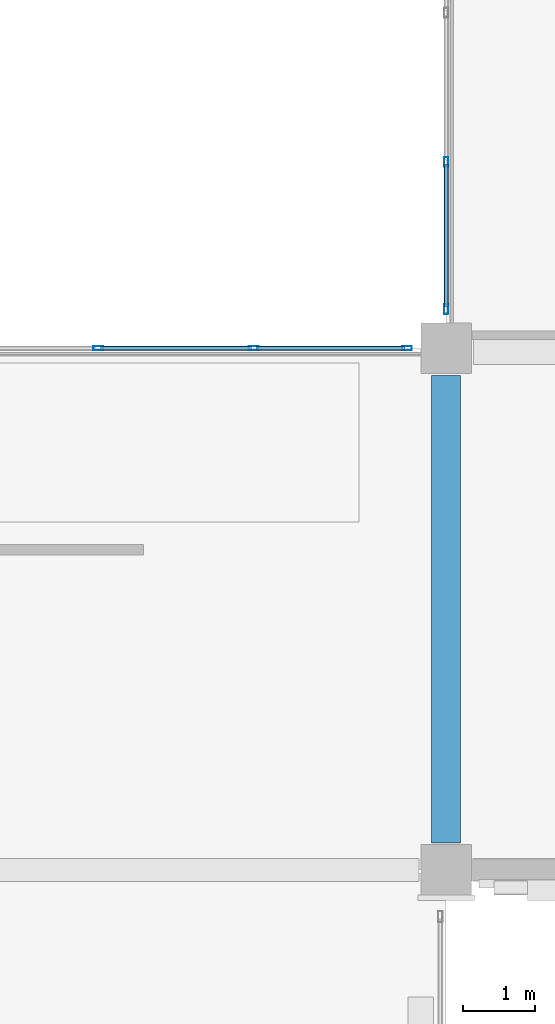
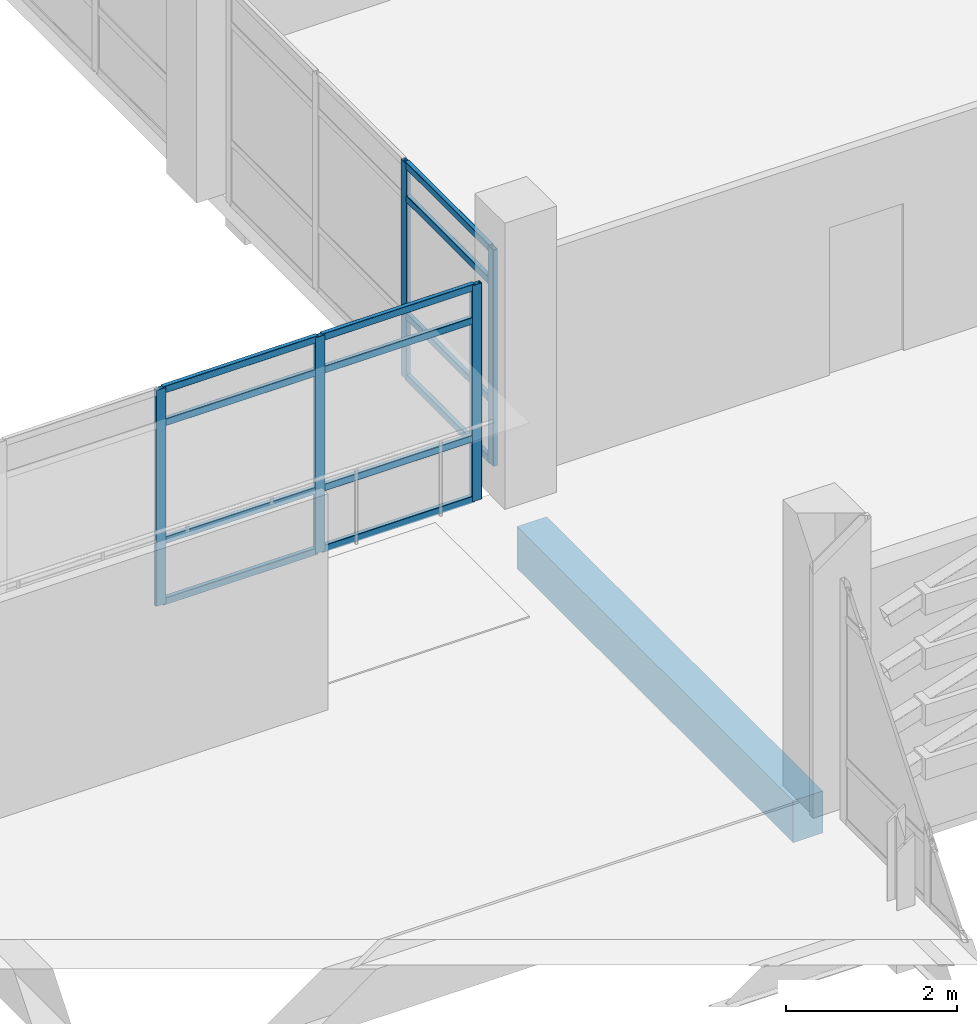
# One storey, part 41 of 134: 17 members, 1 beam, 2 elements without a shape of their own.
"""IFC4 building model written with IfcOpenShell, lengths in metres."""

from ifc_helpers import new_model, si_unit, direction, frame, origin, origin_2d, place, context, subcontext, project, spatial, rectangle, hollow_rectangle, extrude, material, layer, layer_set, material_profile, profile_set, type_object, element, aggregate, save


model = new_model("IFC4")

# Units and contexts
model_context = context("Model", 3, precision=1e-05, world=origin(), true_north=direction((0.0, 1.0)))
body_context = subcontext(model_context, "Body", "Model", "MODEL_VIEW")
ifc_project = project(units=[si_unit("LENGTHUNIT", "METRE"), si_unit("AREAUNIT", "SQUARE_METRE"), si_unit("VOLUMEUNIT", "CUBIC_METRE"), si_unit("PLANEANGLEUNIT", "RADIAN"), si_unit("MASSUNIT", "GRAM", prefix="KILO")], contexts=[model_context])

# Site, building, storey
site_placement = place(None, origin())
site = spatial("IfcSite", under=ifc_project, at=site_placement, CompositionType="ELEMENT")
building_placement = place(site_placement, origin())
building = spatial("IfcBuilding", under=site, at=building_placement, Name="Asteropetra Specialist Clinic", CompositionType="ELEMENT")
storey_placement = place(building_placement, frame((0.0, 0.0, 8.5)))
storey = spatial("IfcBuildingStorey", under=building, at=storey_placement, Name="L02", CompositionType="ELEMENT", Elevation=8.5)

# Beam
ifc_material_1 = material(Name="Concrete C35/45", Category="concrete")
ifc_material_profile_1 = material_profile(ifc_material_1, rectangle(XDim=0.39990234375, YDim=0.60009765625, at=origin_2d()), Name="RCB 400x600")
ifc_profile_set_1 = profile_set([ifc_material_profile_1], Name="Concrete C35/45")
beam_type = type_object("IfcBeamType", Name="BM-RC400x600", PredefinedType="BEAM", material=ifc_profile_set_1)
beam_placement = place(storey_placement, frame((28.800048828125, 69.97509765625, -0.580078125), z_axis=(0.0, 1.0, 0.0), x_axis=(-1.0, 0.0, 0.0)))
element("IfcBeam", 1, at=beam_placement, inside=storey, type_object=beam_type, Name="Beam BBM08-1273", PredefinedType="BEAM", context=body_context, shape_type="SweptSolid", body=[
    extrude(rectangle(XDim=0.39990234375, YDim=0.60009765625, at=origin_2d()), origin(), (0.0, 0.0, 1.0), 6.449951171875),
])

# Curtain wall, members
ifc_material_2 = material(Name="Aluminium and low-E glass", Category="aluminium")
ifc_layer_1 = layer(ifc_material_2, 0.135009765625)
ifc_layer_set_1 = layer_set([ifc_layer_1], Name="Aluminium and low-E glass")
curtain_wall_type_1 = type_object("IfcCurtainWallType", Name="CW-SYS-03", PredefinedType="USERDEFINED", material=ifc_layer_set_1)
curtain_wall_1_placement = place(storey_placement, origin())
curtain_wall_1 = element("IfcCurtainWall", 2, at=curtain_wall_1_placement, inside=storey, type_object=curtain_wall_type_1, Name="Curtain Wall CW-035", ObjectType="UNITISED CURTAIN WALL", PredefinedType="USERDEFINED")
ifc_material_3 = material(Name="Aluminium 6063-T6", Category="aluminium")
ifc_material_profile_2 = material_profile(ifc_material_3, hollow_rectangle(XDim=0.06005859375, YDim=0.135009765625, WallThickness=0.00341796875, InnerFilletRadius=0.00341796875, OuterFilletRadius=0.007080078125, at=origin_2d()), Name="MUL 135x60x3.5")
ifc_profile_set_2 = profile_set([ifc_material_profile_2], Name="Aluminium 6063-T6")
member_type_1 = type_object("IfcMemberType", Name="CWM-135x60", PredefinedType="MULLION", material=ifc_profile_set_2)
member_1_placement = place(storey_placement, frame((24.0, 76.800048828125, 0.0), z_axis=(0.0, 0.0, 1.0), x_axis=(0.0, 1.0, 0.0)))
member_1 = element("IfcMember", 3, at=member_1_placement, type_object=member_type_1, Name="CW-035 mullion 3", PredefinedType="MULLION", context=body_context, shape_type="SweptSolid", body=[
    extrude(hollow_rectangle(XDim=0.06005859375, YDim=0.135009765625, WallThickness=0.00341796875, InnerFilletRadius=0.00341796875, OuterFilletRadius=0.007080078125, at=origin_2d()), origin(), (0.0, 0.0, 1.0), 3.080078125),
])
member_2_placement = place(storey_placement, frame((26.14501953125, 76.800048828125, 0.0), z_axis=(0.0, 0.0, 1.0), x_axis=(0.0, 1.0, 0.0)))
member_2 = element("IfcMember", 4, at=member_2_placement, type_object=member_type_1, Name="CW-035 mullion 4", PredefinedType="MULLION", context=body_context, shape_type="SweptSolid", body=[
    extrude(hollow_rectangle(XDim=0.06005859375, YDim=0.135009765625, WallThickness=0.00341796875, InnerFilletRadius=0.00341796875, OuterFilletRadius=0.007080078125, at=origin_2d()), origin(), (0.0, 0.0, 1.0), 3.080078125),
])
member_3_placement = place(storey_placement, frame((28.260009765625, 76.800048828125, 0.0), z_axis=(0.0, 0.0, 1.0), x_axis=(0.0, 1.0, 0.0)))
member_3 = element("IfcMember", 5, at=member_3_placement, type_object=member_type_1, Name="CW-035 mullion 5", PredefinedType="MULLION", context=body_context, shape_type="SweptSolid", body=[
    extrude(hollow_rectangle(XDim=0.06005859375, YDim=0.135009765625, WallThickness=0.00341796875, InnerFilletRadius=0.00341796875, OuterFilletRadius=0.007080078125, at=origin_2d()), origin(), (0.0, 0.0, 1.0), 3.080078125),
])

ifc_material_4 = material(Name="Aluminium and low-E glass", Category="aluminium")
ifc_layer_2 = layer(ifc_material_4, 0.14990234375)
ifc_layer_set_2 = layer_set([ifc_layer_2], Name="Aluminium and low-E glass")
curtain_wall_type_2 = type_object("IfcCurtainWallType", Name="CW-SYS-05", PredefinedType="USERDEFINED", material=ifc_layer_set_2)
curtain_wall_2_placement = place(storey_placement, origin())
curtain_wall_2 = element("IfcCurtainWall", 6, at=curtain_wall_2_placement, inside=storey, type_object=curtain_wall_type_2, Name="Curtain Wall CW-038", ObjectType="UNITISED CURTAIN WALL", PredefinedType="USERDEFINED")
member_4_placement = place(storey_placement, frame((28.800048828125, 77.340087890625, 0.0), z_axis=(0.0, 0.0, 1.0), x_axis=(-1.0, 0.0, 0.0)))
member_4 = element("IfcMember", 7, at=member_4_placement, type_object=member_type_1, Name="CW-038 mullion 1", PredefinedType="MULLION", context=body_context, shape_type="SweptSolid", body=[
    extrude(hollow_rectangle(XDim=0.06005859375, YDim=0.135009765625, WallThickness=0.00341796875, InnerFilletRadius=0.00341796875, OuterFilletRadius=0.007080078125, at=origin_2d()), origin(), (0.0, 0.0, 1.0), 3.080078125),
])
member_5_placement = place(storey_placement, frame((28.800048828125, 79.3701171875, 0.0), z_axis=(0.0, 0.0, 1.0), x_axis=(-1.0, 0.0, 0.0)))
member_5 = element("IfcMember", 8, at=member_5_placement, type_object=member_type_1, Name="CW-038 mullion 2", PredefinedType="MULLION", context=body_context, shape_type="SweptSolid", body=[
    extrude(hollow_rectangle(XDim=0.06005859375, YDim=0.135009765625, WallThickness=0.00341796875, InnerFilletRadius=0.00341796875, OuterFilletRadius=0.007080078125, at=origin_2d()), origin(), (0.0, 0.0, 1.0), 3.080078125),
])

# Member
ifc_material_5 = material(Name="Aluminium 6063-T6", Category="aluminium")
ifc_material_profile_3 = material_profile(ifc_material_5, hollow_rectangle(XDim=0.06005859375, YDim=0.10009765625, WallThickness=0.00341796875, InnerFilletRadius=0.00341796875, OuterFilletRadius=0.007080078125, at=origin_2d()), Name="TRN 100x60x3.5")
ifc_profile_set_3 = profile_set([ifc_material_profile_3], Name="Aluminium 6063-T6")
member_type_2 = type_object("IfcMemberType", Name="CWT-100x60", PredefinedType="USERDEFINED", material=ifc_profile_set_3)
member_6_placement = place(storey_placement, frame((24.030029296875, 76.800048828125, 0.030029296875), z_axis=(1.0, 0.0, 0.0), x_axis=(0.0, 1.0, 0.0)))
member_6 = element("IfcMember", 9, at=member_6_placement, type_object=member_type_2, Name="CW-035 transom 3.1", ObjectType="TRANSOM", PredefinedType="USERDEFINED", context=body_context, shape_type="SweptSolid", body=[
    extrude(hollow_rectangle(XDim=0.06005859375, YDim=0.10009765625, WallThickness=0.00341796875, InnerFilletRadius=0.00341796875, OuterFilletRadius=0.007080078125, at=origin_2d()), origin(), (0.0, 0.0, 1.0), 2.0849609375),
])

member_7_placement = place(storey_placement, frame((24.030029296875, 76.800048828125, 0.89990234375), z_axis=(1.0, 0.0, 0.0), x_axis=(0.0, 1.0, 0.0)))
member_7 = element("IfcMember", 10, at=member_7_placement, type_object=member_type_2, Name="CW-035 transom 3.2", ObjectType="TRANSOM", PredefinedType="USERDEFINED", context=body_context, shape_type="SweptSolid", body=[
    extrude(hollow_rectangle(XDim=0.06005859375, YDim=0.10009765625, WallThickness=0.00341796875, InnerFilletRadius=0.00341796875, OuterFilletRadius=0.007080078125, at=origin_2d()), origin(), (0.0, 0.0, 1.0), 2.0849609375),
])

member_8_placement = place(storey_placement, frame((24.030029296875, 76.800048828125, 2.580078125), z_axis=(1.0, 0.0, 0.0), x_axis=(0.0, 1.0, 0.0)))
member_8 = element("IfcMember", 11, at=member_8_placement, type_object=member_type_2, Name="CW-035 transom 3.3", ObjectType="TRANSOM", PredefinedType="USERDEFINED", context=body_context, shape_type="SweptSolid", body=[
    extrude(hollow_rectangle(XDim=0.06005859375, YDim=0.10009765625, WallThickness=0.00341796875, InnerFilletRadius=0.00341796875, OuterFilletRadius=0.007080078125, at=origin_2d()), origin(), (0.0, 0.0, 1.0), 2.0849609375),
])

member_9_placement = place(storey_placement, frame((24.030029296875, 76.800048828125, 3.050048828125), z_axis=(1.0, 0.0, 0.0), x_axis=(0.0, 1.0, 0.0)))
member_9 = element("IfcMember", 12, at=member_9_placement, type_object=member_type_2, Name="CW-035 transom 3.4", ObjectType="TRANSOM", PredefinedType="USERDEFINED", context=body_context, shape_type="SweptSolid", body=[
    extrude(hollow_rectangle(XDim=0.06005859375, YDim=0.10009765625, WallThickness=0.00341796875, InnerFilletRadius=0.00341796875, OuterFilletRadius=0.007080078125, at=origin_2d()), origin(), (0.0, 0.0, 1.0), 2.0849609375),
])

member_10_placement = place(storey_placement, frame((26.175048828125, 76.800048828125, 0.030029296875), z_axis=(1.0, 0.0, 0.0), x_axis=(0.0, 1.0, 0.0)))
member_10 = element("IfcMember", 13, at=member_10_placement, type_object=member_type_2, Name="CW-035 transom 4.1", ObjectType="TRANSOM", PredefinedType="USERDEFINED", context=body_context, shape_type="SweptSolid", body=[
    extrude(hollow_rectangle(XDim=0.06005859375, YDim=0.10009765625, WallThickness=0.00341796875, InnerFilletRadius=0.00341796875, OuterFilletRadius=0.007080078125, at=origin_2d()), origin(), (0.0, 0.0, 1.0), 2.054931640625),
])

member_11_placement = place(storey_placement, frame((26.175048828125, 76.800048828125, 0.89990234375), z_axis=(1.0, 0.0, 0.0), x_axis=(0.0, 1.0, 0.0)))
member_11 = element("IfcMember", 14, at=member_11_placement, type_object=member_type_2, Name="CW-035 transom 4.2", ObjectType="TRANSOM", PredefinedType="USERDEFINED", context=body_context, shape_type="SweptSolid", body=[
    extrude(hollow_rectangle(XDim=0.06005859375, YDim=0.10009765625, WallThickness=0.00341796875, InnerFilletRadius=0.00341796875, OuterFilletRadius=0.007080078125, at=origin_2d()), origin(), (0.0, 0.0, 1.0), 2.054931640625),
])

member_12_placement = place(storey_placement, frame((26.175048828125, 76.800048828125, 2.580078125), z_axis=(1.0, 0.0, 0.0), x_axis=(0.0, 1.0, 0.0)))
member_12 = element("IfcMember", 15, at=member_12_placement, type_object=member_type_2, Name="CW-035 transom 4.3", ObjectType="TRANSOM", PredefinedType="USERDEFINED", context=body_context, shape_type="SweptSolid", body=[
    extrude(hollow_rectangle(XDim=0.06005859375, YDim=0.10009765625, WallThickness=0.00341796875, InnerFilletRadius=0.00341796875, OuterFilletRadius=0.007080078125, at=origin_2d()), origin(), (0.0, 0.0, 1.0), 2.054931640625),
])

member_13_placement = place(storey_placement, frame((26.175048828125, 76.800048828125, 3.050048828125), z_axis=(1.0, 0.0, 0.0), x_axis=(0.0, 1.0, 0.0)))
member_13 = element("IfcMember", 16, at=member_13_placement, type_object=member_type_2, Name="CW-035 transom 4.4", ObjectType="TRANSOM", PredefinedType="USERDEFINED", context=body_context, shape_type="SweptSolid", body=[
    extrude(hollow_rectangle(XDim=0.06005859375, YDim=0.10009765625, WallThickness=0.00341796875, InnerFilletRadius=0.00341796875, OuterFilletRadius=0.007080078125, at=origin_2d()), origin(), (0.0, 0.0, 1.0), 2.054931640625),
])

aggregate(curtain_wall_1, [member_1, member_2, member_3, member_6, member_7, member_8, member_9, member_10, member_11, member_12, member_13])

member_14_placement = place(storey_placement, frame((28.800048828125, 77.3701171875, 0.030029296875), z_axis=(0.0, 1.0, 0.0), x_axis=(-1.0, 0.0, 0.0)))
member_14 = element("IfcMember", 17, at=member_14_placement, type_object=member_type_2, Name="CW-038 transom 1.1", ObjectType="TRANSOM", PredefinedType="USERDEFINED", context=body_context, shape_type="SweptSolid", body=[
    extrude(hollow_rectangle(XDim=0.06005859375, YDim=0.10009765625, WallThickness=0.00341796875, InnerFilletRadius=0.00341796875, OuterFilletRadius=0.007080078125, at=origin_2d()), origin(), (0.0, 0.0, 1.0), 1.969970703125),
])

member_15_placement = place(storey_placement, frame((28.800048828125, 77.3701171875, 0.89990234375), z_axis=(0.0, 1.0, 0.0), x_axis=(-1.0, 0.0, 0.0)))
member_15 = element("IfcMember", 18, at=member_15_placement, type_object=member_type_2, Name="CW-038 transom 1.2", ObjectType="TRANSOM", PredefinedType="USERDEFINED", context=body_context, shape_type="SweptSolid", body=[
    extrude(hollow_rectangle(XDim=0.06005859375, YDim=0.10009765625, WallThickness=0.00341796875, InnerFilletRadius=0.00341796875, OuterFilletRadius=0.007080078125, at=origin_2d()), origin(), (0.0, 0.0, 1.0), 1.969970703125),
])

member_16_placement = place(storey_placement, frame((28.800048828125, 77.3701171875, 2.580078125), z_axis=(0.0, 1.0, 0.0), x_axis=(-1.0, 0.0, 0.0)))
member_16 = element("IfcMember", 19, at=member_16_placement, type_object=member_type_2, Name="CW-038 transom 1.3", ObjectType="TRANSOM", PredefinedType="USERDEFINED", context=body_context, shape_type="SweptSolid", body=[
    extrude(hollow_rectangle(XDim=0.06005859375, YDim=0.10009765625, WallThickness=0.00341796875, InnerFilletRadius=0.00341796875, OuterFilletRadius=0.007080078125, at=origin_2d()), origin(), (0.0, 0.0, 1.0), 1.969970703125),
])

member_17_placement = place(storey_placement, frame((28.800048828125, 77.3701171875, 3.050048828125), z_axis=(0.0, 1.0, 0.0), x_axis=(-1.0, 0.0, 0.0)))
member_17 = element("IfcMember", 20, at=member_17_placement, type_object=member_type_2, Name="CW-038 transom 1.4", ObjectType="TRANSOM", PredefinedType="USERDEFINED", context=body_context, shape_type="SweptSolid", body=[
    extrude(hollow_rectangle(XDim=0.06005859375, YDim=0.10009765625, WallThickness=0.00341796875, InnerFilletRadius=0.00341796875, OuterFilletRadius=0.007080078125, at=origin_2d()), origin(), (0.0, 0.0, 1.0), 1.969970703125),
])

aggregate(curtain_wall_2, [member_4, member_5, member_14, member_15, member_16, member_17])

save(model, "model.ifc")
